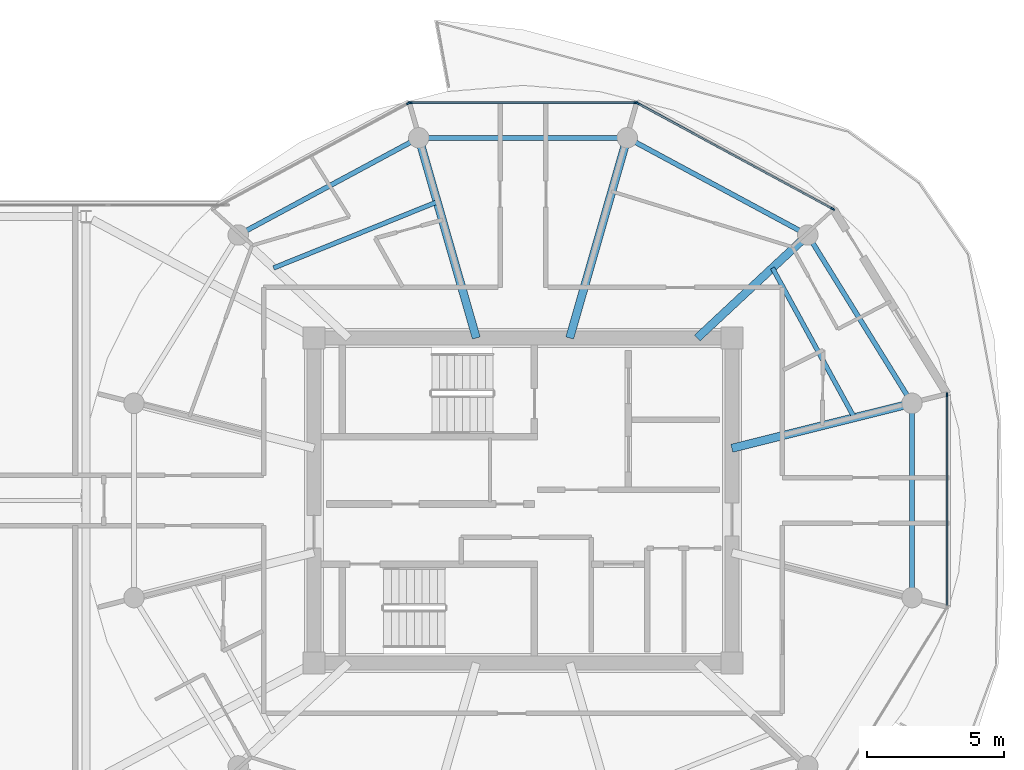
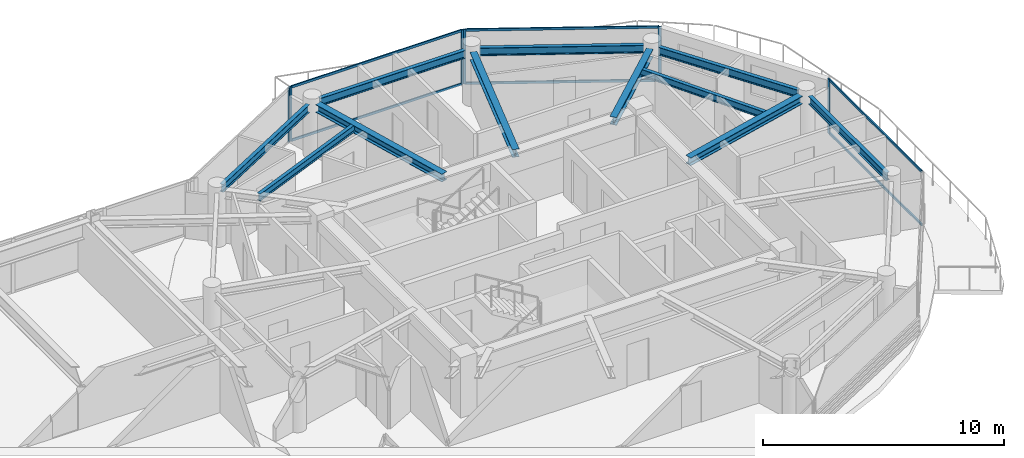
# One storey, part 10 of 24: 12 members, 11 beams, 4 elements without a shape of their own.
"""IFC4 building model written with IfcOpenShell, lengths in metres."""

from ifc_helpers import new_model, si_unit, direction, frame, origin, origin_2d, place, context, subcontext, project, spatial, rectangle, i_section, extrude, source, transform, mapped, material, layer, layer_set, material_profile, profile_set, type_object, type_shapes, element, aggregate, save


model = new_model("IFC4")

# Units and contexts
model_context = context("Model", 3, precision=1e-05, world=origin(), true_north=direction((0.0, 1.0)))
body_context = subcontext(model_context, "Body", "Model", "MODEL_VIEW")
ifc_project = project(units=[si_unit("LENGTHUNIT", "METRE"), si_unit("AREAUNIT", "SQUARE_METRE"), si_unit("VOLUMEUNIT", "CUBIC_METRE"), si_unit("PLANEANGLEUNIT", "RADIAN"), si_unit("MASSUNIT", "GRAM", prefix="KILO")], contexts=[model_context])

# Site, building, storey
site_placement = place(None, origin())
site = spatial("IfcSite", under=ifc_project, at=site_placement, CompositionType="ELEMENT")
building_placement = place(site_placement, origin())
building = spatial("IfcBuilding", under=site, at=building_placement, Name="Norrkilde Senior Care Towers", CompositionType="ELEMENT")
storey_placement = place(building_placement, frame((0.0, 0.0, 223.050048828125)))
storey = spatial("IfcBuildingStorey", under=building, at=storey_placement, Name="L69", CompositionType="ELEMENT", Elevation=223.050048828125)

# Beams
ifc_material_1 = material(Name="Steel S355", Category="steel")
ifc_material_profile_1 = material_profile(ifc_material_1, i_section(OverallWidth=0.179931640625, OverallDepth=0.39990234375, WebThickness=0.008544921875, FlangeThickness=0.013427734375, FilletRadius=0.02099609375, at=origin_2d()), Name="IPE 400")
ifc_profile_set_1 = profile_set([ifc_material_profile_1], Name="Steel S355")
beam_type_1 = type_object("IfcBeamType", Name="Perimeter Ring Spandrel Z4 IPE400", PredefinedType="SPANDREL", material=ifc_profile_set_1)
shared_shape_1 = source(origin(), body_context, "Body", "SweptSolid", [
    extrude(i_section(OverallWidth=0.179931640625, OverallDepth=0.39990234375, WebThickness=0.008544921875, FlangeThickness=0.013427734375, FilletRadius=0.02099609375, at=origin_2d()), origin(), (0.0, 0.0, 1.0), 6.58056640625),
])
beam_1_placement = place(storey_placement, frame((42.071044921875, 3.843505859375, 2.56005859375), z_axis=(-0.526529583789, 0.850156807533, 0.0), x_axis=(-0.850156807533, -0.526529583789, 0.0)))
element("IfcBeam", 1, at=beam_1_placement, inside=storey, type_object=beam_type_1, Name="L69 Drum E Perimeter Spandrel 01", PredefinedType="SPANDREL", context=body_context, shape_type="MappedRepresentation", body=[
    mapped(shared_shape_1, transform((0.0, 0.0, 0.0), x_axis=(1.0, 0.0, 0.0), y_axis=(0.0, 1.0, 0.0), z_axis=(0.0, 0.0, 1.0), scale=1.0)),
])
ifc_material_profile_2 = material_profile(ifc_material_1, i_section(OverallWidth=0.300048828125, OverallDepth=0.39990234375, WebThickness=0.013427734375, FlangeThickness=0.02392578125, FilletRadius=0.027099609375, at=origin_2d()), Name="HEB 400")
ifc_profile_set_2 = profile_set([ifc_material_profile_2], Name="Steel S355")
beam_type_2 = type_object("IfcBeamType", Name="Radial Floor Beam Z4 HEB400", PredefinedType="BEAM", material=ifc_profile_set_2)
shared_shape_2 = source(origin(), body_context, "Body", "SweptSolid", [
    extrude(i_section(OverallWidth=0.300048828125, OverallDepth=0.39990234375, WebThickness=0.013427734375, FlangeThickness=0.02392578125, FilletRadius=0.027099609375, at=origin_2d()), origin(), (0.0, 0.0, 1.0), 6.465087890625),
])
beam_2_placement = place(storey_placement, frame((35.64990234375, 1.910888671875, 2.56005859375), z_axis=(0.970195788563, 0.242322371758, 0.0), x_axis=(-0.242322371758, 0.970195788563, 0.0)))
element("IfcBeam", 2, at=beam_2_placement, inside=storey, type_object=beam_type_2, Name="L69 Drum E Radial Floor Beam 01", PredefinedType="BEAM", context=body_context, shape_type="MappedRepresentation", body=[
    mapped(shared_shape_2, transform((0.0, 0.0, 0.0), x_axis=(1.0, 0.0, 0.0), y_axis=(0.0, 1.0, 0.0), z_axis=(0.0, 0.0, 1.0), scale=1.0)),
])
shared_shape_3 = source(origin(), body_context, "Body", "SweptSolid", [
    extrude(i_section(OverallWidth=0.179931640625, OverallDepth=0.39990234375, WebThickness=0.008544921875, FlangeThickness=0.013427734375, FilletRadius=0.02099609375, at=origin_2d()), origin(), (0.0, 0.0, 1.0), 6.839111328125),
])
for number, where, z_axis, x_axis, name in (
    (3, (38.134765625, 9.881591796875, 2.56005859375), (-0.880563930732, 0.473927382511, 0.0), (-0.473927382511, -0.880563930732, 0.0), "L69 Drum E Perimeter Spandrel 02"),
    (4, (23.887451171875, 13.122802734375, 2.56005859375), (-0.880563930732, -0.473927382511, 0.0), (0.473927382511, -0.880563930732, 0.0), "L69 Drum E Perimeter Spandrel 04"),
):
    element("IfcBeam", number, at=place(storey_placement, frame(where, z_axis=z_axis, x_axis=x_axis)), inside=storey, type_object=beam_type_1, Name=name, PredefinedType="SPANDREL", context=body_context, shape_type="MappedRepresentation", body=[
        mapped(shared_shape_3, transform((0.0, 0.0, 0.0), x_axis=(1.0, 0.0, 0.0), y_axis=(0.0, 1.0, 0.0), z_axis=(0.0, 0.0, 1.0), scale=1.0)),
    ])
shared_shape_4 = source(origin(), body_context, "Body", "SweptSolid", [
    extrude(i_section(OverallWidth=0.300048828125, OverallDepth=0.39990234375, WebThickness=0.013427734375, FlangeThickness=0.02392578125, FilletRadius=0.027099609375, at=origin_2d()), origin(), (0.0, 0.0, 1.0), 5.197998046875),
])
beam_3_placement = place(storey_placement, frame((34.3828125, 5.949951171875, 2.56005859375), z_axis=(0.731448749334, 0.681896419625, 0.0), x_axis=(-0.681896419625, 0.731448749334, 0.0)))
element("IfcBeam", 5, at=beam_3_placement, inside=storey, type_object=beam_type_2, Name="L69 Drum E Radial Floor Beam 02", PredefinedType="BEAM", context=body_context, shape_type="MappedRepresentation", body=[
    mapped(shared_shape_4, transform((0.0, 0.0, 0.0), x_axis=(1.0, 0.0, 0.0), y_axis=(0.0, 1.0, 0.0), z_axis=(0.0, 0.0, 1.0), scale=1.0)),
])
shared_shape_5 = source(origin(), body_context, "Body", "SweptSolid", [
    extrude(i_section(OverallWidth=0.179931640625, OverallDepth=0.39990234375, WebThickness=0.008544921875, FlangeThickness=0.013427734375, FilletRadius=0.02099609375, at=origin_2d()), origin(), (0.0, 0.0, 1.0), 6.96533203125),
])
beam_4_placement = place(storey_placement, frame((31.482666015625, 13.281494140625, 2.56005859375), z_axis=(-1.0, 0.0, 0.0), x_axis=(0.0, -1.0, 0.0)))
element("IfcBeam", 6, at=beam_4_placement, inside=storey, type_object=beam_type_1, Name="L69 Drum E Perimeter Spandrel 03", PredefinedType="SPANDREL", context=body_context, shape_type="MappedRepresentation", body=[
    mapped(shared_shape_5, transform((0.0, 0.0, 0.0), x_axis=(1.0, 0.0, 0.0), y_axis=(0.0, 1.0, 0.0), z_axis=(0.0, 0.0, 1.0), scale=1.0)),
])
shared_shape_6 = source(origin(), body_context, "Body", "SweptSolid", [
    extrude(i_section(OverallWidth=0.300048828125, OverallDepth=0.39990234375, WebThickness=0.013427734375, FlangeThickness=0.02392578125, FilletRadius=0.027099609375, at=origin_2d()), origin(), (0.0, 0.0, 1.0), 7.29345703125),
])
type_shapes(beam_type_2, [shared_shape_2, shared_shape_4, shared_shape_6])
for number, where, z_axis, x_axis, name in (
    (7, (29.710205078125, 5.949951171875, 2.56005859375), (0.276263751906, 0.961081858836, 0.0), (-0.961081858836, 0.276263751906, 0.0), "L69 Drum E Radial Floor Beam 03"),
    (8, (26.289794921875, 5.949951171875, 2.56005859375), (-0.276263751906, 0.961081858836, 0.0), (-0.961081858836, -0.276263751906, 0.0), "L69 Drum E Radial Floor Beam 04"),
):
    element("IfcBeam", number, at=place(storey_placement, frame(where, z_axis=z_axis, x_axis=x_axis)), inside=storey, type_object=beam_type_2, Name=name, PredefinedType="BEAM", context=body_context, shape_type="MappedRepresentation", body=[
        mapped(shared_shape_6, transform((0.0, 0.0, 0.0), x_axis=(1.0, 0.0, 0.0), y_axis=(0.0, 1.0, 0.0), z_axis=(0.0, 0.0, 1.0), scale=1.0)),
    ])
shared_shape_7 = source(origin(), body_context, "Body", "SweptSolid", [
    extrude(i_section(OverallWidth=0.179931640625, OverallDepth=0.39990234375, WebThickness=0.008544921875, FlangeThickness=0.013427734375, FilletRadius=0.02099609375, at=origin_2d()), origin(), (0.0, 0.0, 1.0), 6.44775390625),
])
type_shapes(beam_type_1, [shared_shape_1, shared_shape_3, shared_shape_5, shared_shape_7])
beam_5_placement = place(storey_placement, frame((42.247314453125, -3.223876953125, 2.56005859375), z_axis=(0.0, 1.0, 0.0), x_axis=(-1.0, 0.0, 0.0)))
element("IfcBeam", 9, at=beam_5_placement, inside=storey, type_object=beam_type_1, Name="L69 Drum E Perimeter Spandrel 12", PredefinedType="SPANDREL", context=body_context, shape_type="MappedRepresentation", body=[
    mapped(shared_shape_7, transform((0.0, 0.0, 0.0), x_axis=(1.0, 0.0, 0.0), y_axis=(0.0, 1.0, 0.0), z_axis=(0.0, 0.0, 1.0), scale=1.0)),
])
ifc_material_profile_3 = material_profile(ifc_material_1, i_section(OverallWidth=0.169921875, OverallDepth=0.360107421875, WebThickness=0.008056640625, FlangeThickness=0.0126953125, FilletRadius=0.01806640625, at=origin_2d()), Name="IPE 360")
ifc_profile_set_3 = profile_set([ifc_material_profile_3], Name="Steel S355")
beam_type_3 = type_object("IfcBeamType", Name="Secondary Floor Joist IPE360", PredefinedType="JOIST", material=ifc_profile_set_3)
shared_shape_8 = source(origin(), body_context, "Body", "SweptSolid", [
    extrude(i_section(OverallWidth=0.169921875, OverallDepth=0.360107421875, WebThickness=0.008056640625, FlangeThickness=0.0126953125, FilletRadius=0.01806640625, at=origin_2d()), origin(), (0.0, 0.0, 1.0), 6.461669921875),
])
beam_6_placement = place(storey_placement, frame((24.856689453125, 10.935302734375, 2.579833984375), z_axis=(-0.927225942298, -0.374502405772, 0.0), x_axis=(0.374502405772, -0.927225942298, 0.0)))
element("IfcBeam", 10, at=beam_6_placement, inside=storey, type_object=beam_type_3, Name="L69 Drum E Secondary Floor Joist 2", PredefinedType="JOIST", context=body_context, shape_type="MappedRepresentation", body=[
    mapped(shared_shape_8, transform((0.0, 0.0, 0.0), x_axis=(1.0, 0.0, 0.0), y_axis=(0.0, 1.0, 0.0), z_axis=(0.0, 0.0, 1.0), scale=1.0)),
])
shared_shape_9 = source(origin(), body_context, "Body", "SweptSolid", [
    extrude(i_section(OverallWidth=0.169921875, OverallDepth=0.360107421875, WebThickness=0.008056640625, FlangeThickness=0.0126953125, FilletRadius=0.01806640625, at=origin_2d()), origin(), (0.0, 0.0, 1.0), 6.25146484375),
])
type_shapes(beam_type_3, [shared_shape_8, shared_shape_9])
beam_7_placement = place(storey_placement, frame((40.13623046875, 3.031494140625, 2.579833984375), z_axis=(-0.480115752653, 0.877205143655, 0.0), x_axis=(-0.877205143655, -0.480115752653, 0.0)))
element("IfcBeam", 11, at=beam_7_placement, inside=storey, type_object=beam_type_3, Name="L69 Drum E Secondary Floor Joist 1", PredefinedType="JOIST", context=body_context, shape_type="MappedRepresentation", body=[
    mapped(shared_shape_9, transform((0.0, 0.0, 0.0), x_axis=(1.0, 0.0, 0.0), y_axis=(0.0, 1.0, 0.0), z_axis=(0.0, 0.0, 1.0), scale=1.0)),
])

# Curtain wall, members
ifc_material_2 = material(Name="Triple Low-E Insulated Glazing", Category="glass")
ifc_layer = layer(ifc_material_2, 0.18505859375)
ifc_layer_set = layer_set([ifc_layer], Name="Triple Low-E Insulated Glazing")
curtain_wall_type = type_object("IfcCurtainWallType", Name="CW6 Zone 4 Crown Pavilion Curtain Wall", PredefinedType="NOTDEFINED", material=ifc_layer_set)
curtain_wall_1_placement = place(storey_placement, origin())
curtain_wall_1 = element("IfcCurtainWall", 12, at=curtain_wall_1_placement, inside=storey, type_object=curtain_wall_type, Name="L69 Drum E Curtain Wall 02", PredefinedType="NOTDEFINED")
ifc_material_3 = material(Name="Anodised Aluminium", Category="aluminium")
ifc_material_profile_4 = material_profile(ifc_material_3, rectangle(XDim=0.06005859375, YDim=0.1201171875, at=origin_2d()), Name="ALU TRAN 60x120")
ifc_profile_set_4 = profile_set([ifc_material_profile_4], Name="Anodised Aluminium")
member_type_1 = type_object("IfcMemberType", Name="Curtain Wall Transom Typical 60x120", PredefinedType="USERDEFINED", material=ifc_profile_set_4)
shared_shape_10 = source(origin(), body_context, "Body", "SweptSolid", [
    extrude(rectangle(XDim=0.06005859375, YDim=0.1201171875, at=origin_2d()), origin(), (0.0, 0.0, 1.0), 8.19384765625),
])
member_1_placement = place(storey_placement, frame((23.903076171875, 14.566162109375, 0.030029296875), z_axis=(1.0, 0.0, 0.0), x_axis=(0.0, 1.0, 0.0)))
member_1 = element("IfcMember", 13, at=member_1_placement, type_object=member_type_1, Name="CW-6 transom 1.1", ObjectType="TRANSOM", PredefinedType="USERDEFINED", context=body_context, shape_type="MappedRepresentation", body=[
    mapped(shared_shape_10, transform((0.0, 0.0, 0.0), x_axis=(1.0, 0.0, 0.0), y_axis=(0.0, 1.0, 0.0), z_axis=(0.0, 0.0, 1.0), scale=1.0)),
])
member_2_placement = place(storey_placement, frame((23.903076171875, 14.566162109375, 2.72998046875), z_axis=(1.0, 0.0, 0.0), x_axis=(0.0, 1.0, 0.0)))
member_2 = element("IfcMember", 14, at=member_2_placement, type_object=member_type_1, Name="CW-6 transom 1.2", ObjectType="TRANSOM", PredefinedType="USERDEFINED", context=body_context, shape_type="MappedRepresentation", body=[
    mapped(shared_shape_10, transform((0.0, 0.0, 0.0), x_axis=(1.0, 0.0, 0.0), y_axis=(0.0, 1.0, 0.0), z_axis=(0.0, 0.0, 1.0), scale=1.0)),
])

curtain_wall_2_placement = place(storey_placement, origin())
curtain_wall_2 = element("IfcCurtainWall", 15, at=curtain_wall_2_placement, inside=storey, type_object=curtain_wall_type, Name="L69 Drum E Curtain Wall 01", PredefinedType="NOTDEFINED")
shared_shape_11 = source(origin(), body_context, "Body", "SweptSolid", [
    extrude(rectangle(XDim=0.06005859375, YDim=0.1201171875, at=origin_2d()), origin(), (0.0, 0.0, 1.0), 8.0673828125),
])
member_3_placement = place(storey_placement, frame((32.218994140625, 14.53515625, 0.030029296875), z_axis=(0.87937750072, -0.476125205411, 0.0), x_axis=(0.476125205411, 0.87937750072, 0.0)))
member_3 = element("IfcMember", 16, at=member_3_placement, type_object=member_type_1, Name="CW-6 transom 1.1", ObjectType="TRANSOM", PredefinedType="USERDEFINED", context=body_context, shape_type="MappedRepresentation", body=[
    mapped(shared_shape_11, transform((0.0, 0.0, 0.0), x_axis=(1.0, 0.0, 0.0), y_axis=(0.0, 1.0, 0.0), z_axis=(0.0, 0.0, 1.0), scale=1.0)),
])
member_4_placement = place(storey_placement, frame((32.218994140625, 14.53515625, 2.72998046875), z_axis=(0.87937750072, -0.476125205411, 0.0), x_axis=(0.476125205411, 0.87937750072, 0.0)))
member_4 = element("IfcMember", 17, at=member_4_placement, type_object=member_type_1, Name="CW-6 transom 1.2", ObjectType="TRANSOM", PredefinedType="USERDEFINED", context=body_context, shape_type="MappedRepresentation", body=[
    mapped(shared_shape_11, transform((0.0, 0.0, 0.0), x_axis=(1.0, 0.0, 0.0), y_axis=(0.0, 1.0, 0.0), z_axis=(0.0, 0.0, 1.0), scale=1.0)),
])

curtain_wall_3_placement = place(storey_placement, origin())
curtain_wall_3 = element("IfcCurtainWall", 18, at=curtain_wall_3_placement, inside=storey, type_object=curtain_wall_type, Name="L69 Drum E Curtain Wall 11", PredefinedType="NOTDEFINED")
shared_shape_12 = source(origin(), body_context, "Body", "SweptSolid", [
    extrude(rectangle(XDim=0.06005859375, YDim=0.1201171875, at=origin_2d()), origin(), (0.0, 0.0, 1.0), 7.67578125),
])
type_shapes(member_type_1, [shared_shape_10, shared_shape_11, shared_shape_12])
member_5_placement = place(storey_placement, frame((43.531982421875, 3.837890625, 0.030029296875), z_axis=(0.0, -1.0, 0.0), x_axis=(1.0, 0.0, 0.0)))
member_5 = element("IfcMember", 19, at=member_5_placement, type_object=member_type_1, Name="CW-6 transom 1.1", ObjectType="TRANSOM", PredefinedType="USERDEFINED", context=body_context, shape_type="MappedRepresentation", body=[
    mapped(shared_shape_12, transform((0.0, 0.0, 0.0), x_axis=(1.0, 0.0, 0.0), y_axis=(0.0, 1.0, 0.0), z_axis=(0.0, 0.0, 1.0), scale=1.0)),
])
member_6_placement = place(storey_placement, frame((43.531982421875, 3.837890625, 2.72998046875), z_axis=(0.0, -1.0, 0.0), x_axis=(1.0, 0.0, 0.0)))
member_6 = element("IfcMember", 20, at=member_6_placement, type_object=member_type_1, Name="CW-6 transom 1.2", ObjectType="TRANSOM", PredefinedType="USERDEFINED", context=body_context, shape_type="MappedRepresentation", body=[
    mapped(shared_shape_12, transform((0.0, 0.0, 0.0), x_axis=(1.0, 0.0, 0.0), y_axis=(0.0, 1.0, 0.0), z_axis=(0.0, 0.0, 1.0), scale=1.0)),
])

# Member
ifc_material_profile_5 = material_profile(ifc_material_3, rectangle(XDim=0.06494140625, YDim=0.14990234375, at=origin_2d()), Name="ALU MULL 65x150")
ifc_profile_set_5 = profile_set([ifc_material_profile_5], Name="Anodised Aluminium")
member_type_2 = type_object("IfcMemberType", Name="Curtain Wall Mullion Z3-Z4 65x150", PredefinedType="MULLION", material=ifc_profile_set_5)
shared_shape_13 = source(origin(), body_context, "Body", "SweptSolid", [
    extrude(rectangle(XDim=0.06494140625, YDim=0.14990234375, at=origin_2d()), origin(), (0.0, 0.0, 1.0), 2.760009765625),
])
type_shapes(member_type_2, [shared_shape_13])
member_7_placement = place(storey_placement, frame((32.1904296875, 14.55078125, 0.0), z_axis=(0.0, 0.0, 1.0), x_axis=(0.476132676136, 0.879373455772, 0.0)))
member_7 = element("IfcMember", 21, at=member_7_placement, type_object=member_type_2, Name="CW-6 mullion 1", PredefinedType="MULLION", context=body_context, shape_type="MappedRepresentation", body=[
    mapped(shared_shape_13, transform((0.0, 0.0, 0.0), x_axis=(1.0, 0.0, 0.0), y_axis=(0.0, 1.0, 0.0), z_axis=(0.0, 0.0, 1.0), scale=1.0)),
])

member_8_placement = place(storey_placement, frame((39.341796875, 10.6787109375, 0.0), z_axis=(0.0, 0.0, 1.0), x_axis=(0.476132676136, 0.879373455772, 0.0)))
member_8 = element("IfcMember", 22, at=member_8_placement, type_object=member_type_2, Name="CW-6 mullion 2", PredefinedType="MULLION", context=body_context, shape_type="MappedRepresentation", body=[
    mapped(shared_shape_13, transform((0.0, 0.0, 0.0), x_axis=(1.0, 0.0, 0.0), y_axis=(0.0, 1.0, 0.0), z_axis=(0.0, 0.0, 1.0), scale=1.0)),
])

aggregate(curtain_wall_2, [member_7, member_8, member_3, member_4])

member_9_placement = place(storey_placement, frame((23.87060546875, 14.566162109375, 0.0), z_axis=(0.0, 0.0, 1.0), x_axis=(0.0, 1.0, 0.0)))
member_9 = element("IfcMember", 23, at=member_9_placement, type_object=member_type_2, Name="CW-6 mullion 1", PredefinedType="MULLION", context=body_context, shape_type="MappedRepresentation", body=[
    mapped(shared_shape_13, transform((0.0, 0.0, 0.0), x_axis=(1.0, 0.0, 0.0), y_axis=(0.0, 1.0, 0.0), z_axis=(0.0, 0.0, 1.0), scale=1.0)),
])

member_10_placement = place(storey_placement, frame((32.12939453125, 14.566162109375, 0.0), z_axis=(0.0, 0.0, 1.0), x_axis=(0.0, 1.0, 0.0)))
member_10 = element("IfcMember", 24, at=member_10_placement, type_object=member_type_2, Name="CW-6 mullion 2", PredefinedType="MULLION", context=body_context, shape_type="MappedRepresentation", body=[
    mapped(shared_shape_13, transform((0.0, 0.0, 0.0), x_axis=(1.0, 0.0, 0.0), y_axis=(0.0, 1.0, 0.0), z_axis=(0.0, 0.0, 1.0), scale=1.0)),
])

aggregate(curtain_wall_1, [member_9, member_10, member_1, member_2])

# Curtain wall, member
curtain_wall_4_placement = place(storey_placement, origin())
curtain_wall_4 = element("IfcCurtainWall", 25, at=curtain_wall_4_placement, inside=storey, type_object=curtain_wall_type, Name="L69 Drum E Curtain Wall 03", PredefinedType="NOTDEFINED")
member_11_placement = place(storey_placement, frame((23.8095703125, 14.55078125, 0.0), z_axis=(0.0, 0.0, 1.0), x_axis=(-0.476132676136, 0.879373455772, 0.0)))
member_11 = element("IfcMember", 26, at=member_11_placement, type_object=member_type_2, Name="CW-6 mullion 2", PredefinedType="MULLION", context=body_context, shape_type="MappedRepresentation", body=[
    mapped(shared_shape_13, transform((0.0, 0.0, 0.0), x_axis=(1.0, 0.0, 0.0), y_axis=(0.0, 1.0, 0.0), z_axis=(0.0, 0.0, 1.0), scale=1.0)),
])
aggregate(curtain_wall_4, [member_11])

# Member
member_12_placement = place(storey_placement, frame((43.531982421875, 3.87060546875, 0.0), z_axis=(0.0, 0.0, 1.0), x_axis=(1.0, 0.0, 0.0)))
member_12 = element("IfcMember", 27, at=member_12_placement, type_object=member_type_2, Name="CW-6 mullion 1", PredefinedType="MULLION", context=body_context, shape_type="MappedRepresentation", body=[
    mapped(shared_shape_13, transform((0.0, 0.0, 0.0), x_axis=(1.0, 0.0, 0.0), y_axis=(0.0, 1.0, 0.0), z_axis=(0.0, 0.0, 1.0), scale=1.0)),
])

aggregate(curtain_wall_3, [member_12, member_5, member_6])

save(model, "model.ifc")
